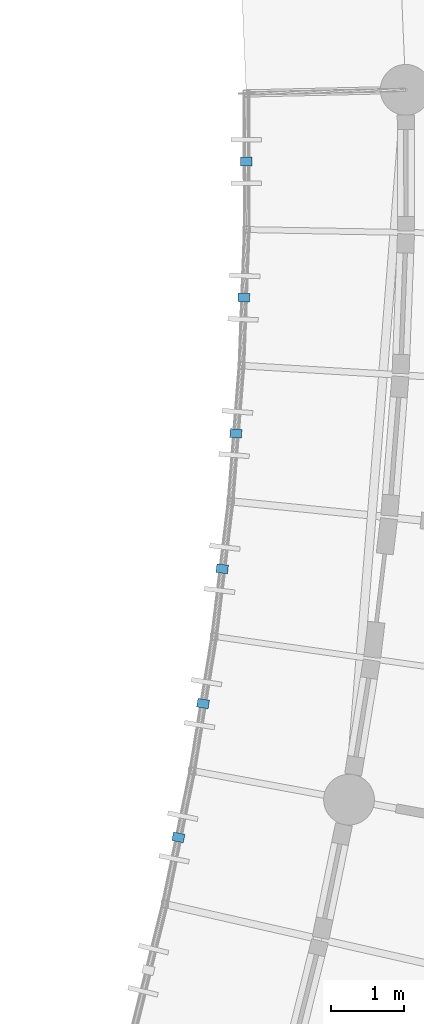
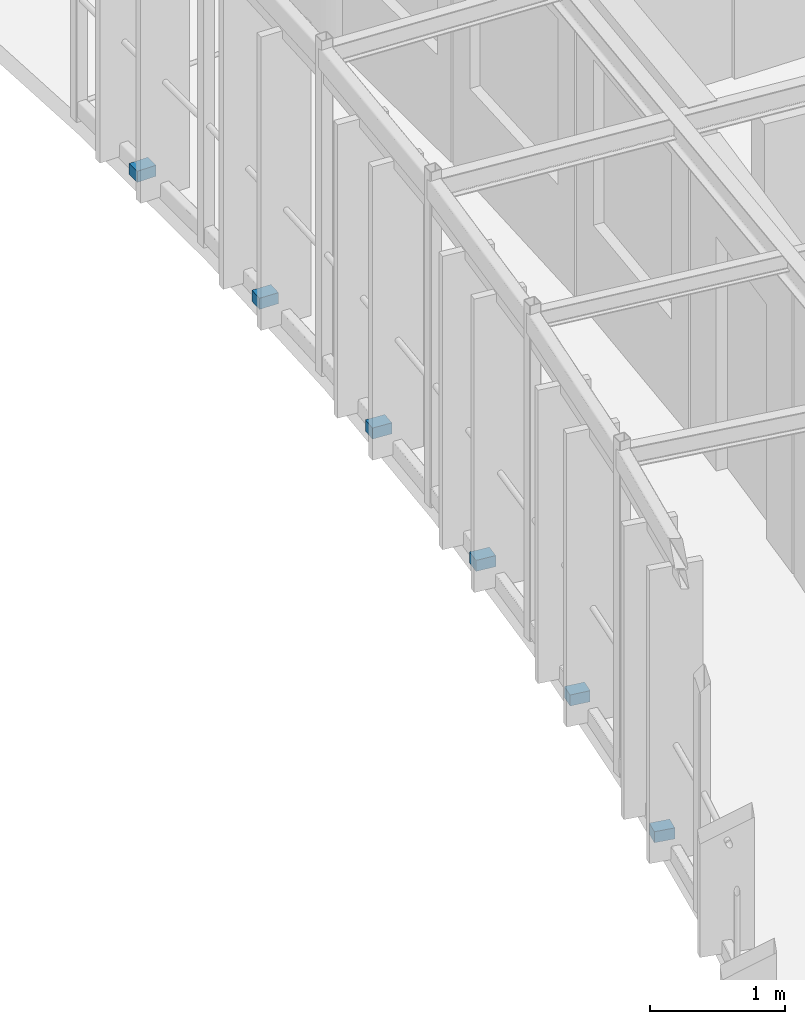
# One storey, part 85 of 100: 6 discrete accessories.
"""IFC4 building model written with IfcOpenShell, lengths in metres."""

from ifc_helpers import new_model, si_unit, direction, frame, origin, origin_2d, place, context, subcontext, project, spatial, rectangle, extrude, material, type_object, element, save


model = new_model("IFC4")

# Units and contexts
model_context = context("Model", 3, precision=1e-05, world=origin(), true_north=direction((0.0, 1.0)))
body_context = subcontext(model_context, "Body", "Model", "MODEL_VIEW")
ifc_project = project(units=[si_unit("LENGTHUNIT", "METRE"), si_unit("AREAUNIT", "SQUARE_METRE"), si_unit("VOLUMEUNIT", "CUBIC_METRE"), si_unit("PLANEANGLEUNIT", "RADIAN"), si_unit("MASSUNIT", "GRAM", prefix="KILO"), si_unit("POWERUNIT", "WATT"), si_unit("THERMODYNAMICTEMPERATUREUNIT", "KELVIN")], contexts=[model_context])

# Site, building, storey
site_placement = place(None, origin())
site = spatial("IfcSite", under=ifc_project, at=site_placement, CompositionType="ELEMENT")
building_placement = place(site_placement, origin())
building = spatial("IfcBuilding", under=site, at=building_placement, Name="Ruvembo Vaulted Housing Court", CompositionType="ELEMENT")
storey_placement = place(building_placement, frame((0.0, 0.0, 10.89990234375)))
storey = spatial("IfcBuildingStorey", under=building, at=storey_placement, Name="L03", CompositionType="ELEMENT", Elevation=10.89990234375)

# Discrete accessories
ifc_material = material(Name="Stainless Steel Grade 316", Category="steel")
discrete_accessory_type = type_object("IfcDiscreteAccessoryType", Name="ACC-BRACKET-SS", PredefinedType="BRACKET", material=ifc_material)
for number, where, z_axis, x_axis, name in (
    (1, (46.853759765625, 64.78564453125, 0.030029296875), (0.0, 0.0, 1.0), (0.979547164277, -0.201214693692, 0.0), "Stainless Louvre Rail Bracket #52"),
    (2, (47.193603515625, 66.630859375, 0.030029296875), (0.0, 0.0, 1.0), (0.986957060278, -0.160983729511, 0.0), "Stainless Louvre Rail Bracket #53"),
    (3, (47.45751953125, 68.488525390625, 0.030029296875), (0.0, 0.0, 1.0), (0.992734259016, -0.120327432347, 0.0), "Stainless Louvre Rail Bracket #54"),
    (4, (47.64501953125, 70.35546875, 0.030029296875), (0.0, 0.0, 1.0), (0.996826293951, -0.079607409749, 0.0), "Stainless Louvre Rail Bracket #55"),
    (5, (47.756103515625, 72.228271484375, 0.030029296875), (0.0, 0.0, 1.0), (0.999251482534, -0.038684294669, 0.0), "Stainless Louvre Rail Bracket #56"),
    (6, (47.790283203125, 74.104248046875, 0.030029296875), (0.0, 0.0, 1.0), (0.999997386231, 0.002286379328, 0.0), "Stainless Louvre Rail Bracket #57"),
):
    element("IfcDiscreteAccessory", number, at=place(storey_placement, frame(where, z_axis=z_axis, x_axis=x_axis)), inside=storey, type_object=discrete_accessory_type, Name=name, PredefinedType="BRACKET", context=body_context, shape_type="SweptSolid", body=[
        extrude(rectangle(XDim=0.159912109375, YDim=0.1201171875, at=origin_2d()), origin(), (0.0, 0.0, 1.0), 0.10009765625),
    ])

save(model, "model.ifc")
